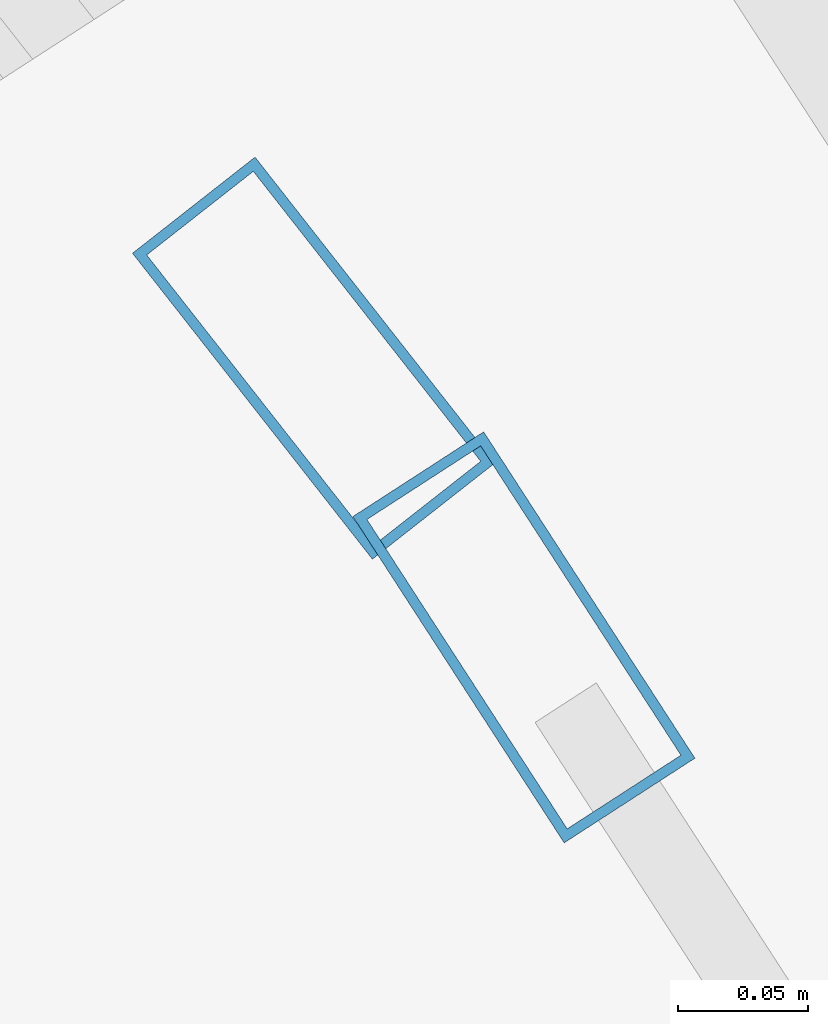
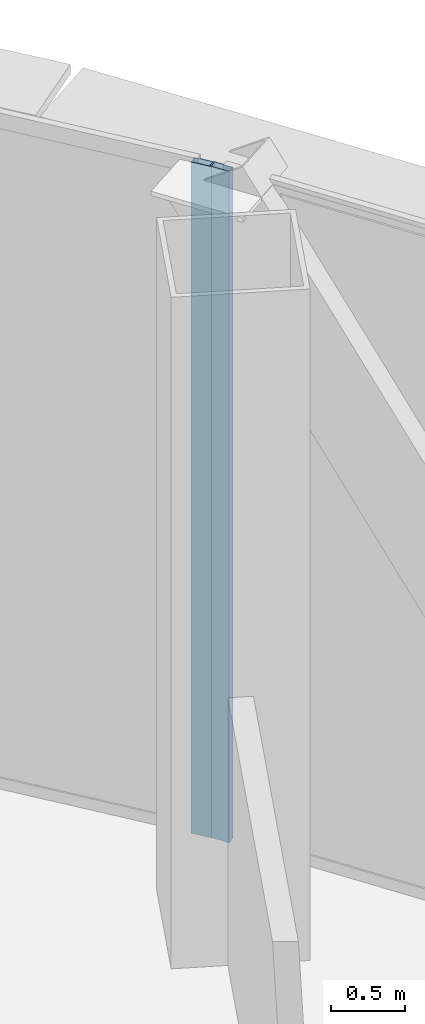
# One storey, part 22 of 40: 2 members, 2 elements without a shape of their own.
"""IFC4 building model written with IfcOpenShell, lengths in metres."""

from ifc_helpers import new_model, si_unit, direction, frame, origin, origin_2d, place, context, subcontext, project, spatial, hollow_rectangle, extrude, source, transform, mapped, material, layer, layer_set, material_profile, profile_set, type_object, element, aggregate, save


model = new_model("IFC4")

# Units and contexts
model_context = context("Model", 3, precision=1e-05, world=origin(), true_north=direction((0.0, 1.0)))
body_context = subcontext(model_context, "Body", "Model", "MODEL_VIEW")
ifc_project = project(units=[si_unit("LENGTHUNIT", "METRE"), si_unit("AREAUNIT", "SQUARE_METRE"), si_unit("VOLUMEUNIT", "CUBIC_METRE"), si_unit("PLANEANGLEUNIT", "RADIAN"), si_unit("MASSUNIT", "GRAM", prefix="KILO"), si_unit("THERMODYNAMICTEMPERATUREUNIT", "KELVIN"), si_unit("POWERUNIT", "WATT")], contexts=[model_context])

# Site, building, storey
site_placement = place(None, origin())
site = spatial("IfcSite", under=ifc_project, at=site_placement, CompositionType="ELEMENT")
building_placement = place(site_placement, origin())
building = spatial("IfcBuilding", under=site, at=building_placement, Name="Yunzhuo Pagoda Commons", CompositionType="ELEMENT")
storey_placement = place(building_placement, frame((0.0, 0.0, 170.31005859375)))
storey = spatial("IfcBuildingStorey", under=building, at=storey_placement, Name="L43", CompositionType="ELEMENT", Elevation=170.31005859375)

# Curtain wall, member
ifc_material = material(Name="Anodized aluminium 6063-T6", Category="aluminium")
ifc_layer = layer(ifc_material, 0.14990234375)
ifc_layer_set = layer_set([ifc_layer], Name="Anodized aluminium 6063-T6")
curtain_wall_type = type_object("IfcCurtainWallType", Name="CW-MID Mid-Zone Ribbon Curtain Wall", PredefinedType="NOTDEFINED", material=ifc_layer_set)
curtain_wall_1_placement = place(storey_placement, origin())
curtain_wall_1 = element("IfcCurtainWall", 1, at=curtain_wall_1_placement, inside=storey, type_object=curtain_wall_type, Name="L43 curtain wall CW-L43-F2B4", PredefinedType="NOTDEFINED")
ifc_material_profile = material_profile(ifc_material, hollow_rectangle(XDim=0.06005859375, YDim=0.14990234375, WallThickness=0.00390625, at=origin_2d()), Name="Anodized aluminium 6063-T6")
ifc_profile_set = profile_set([ifc_material_profile], Name="Anodized aluminium 6063-T6")
member_type = type_object("IfcMemberType", Name="CW-MID-M Mullion RHS 150x60x4", PredefinedType="MULLION", material=ifc_profile_set)
shared_shape = source(origin(), body_context, "Body", "SweptSolid", [
    extrude(hollow_rectangle(XDim=0.06005859375, YDim=0.14990234375, WallThickness=0.00390625, at=origin_2d()), origin(), (0.0, 0.0, 1.0), 5.56982421875),
])
member_1_placement = place(storey_placement, frame((63.849609375, 69.23681640625, 0.0), z_axis=(0.0, 0.0, 1.0), x_axis=(-0.839466065689, -0.543412113002, 0.0)))
member_1 = element("IfcMember", 2, at=member_1_placement, type_object=member_type, Name="CW mullion 2", PredefinedType="MULLION", context=body_context, shape_type="MappedRepresentation", body=[
    mapped(shared_shape, transform((0.0, 0.0, 0.0), scale=1.0)),
])
aggregate(curtain_wall_1, [member_1])

curtain_wall_2_placement = place(storey_placement, origin())
curtain_wall_2 = element("IfcCurtainWall", 3, at=curtain_wall_2_placement, inside=storey, type_object=curtain_wall_type, Name="L43 curtain wall CW-L43-F2B5", PredefinedType="NOTDEFINED")
member_2_placement = place(storey_placement, frame((63.7685546875, 69.344482421875, 0.0), z_axis=(0.0, 0.0, 1.0), x_axis=(-0.786855306064, -0.617137527071, 0.0)))
member_2 = element("IfcMember", 4, at=member_2_placement, type_object=member_type, Name="CW mullion 1", PredefinedType="MULLION", context=body_context, shape_type="MappedRepresentation", body=[
    mapped(shared_shape, transform((0.0, 0.0, 0.0), scale=1.0)),
])
aggregate(curtain_wall_2, [member_2])

save(model, "model.ifc")
